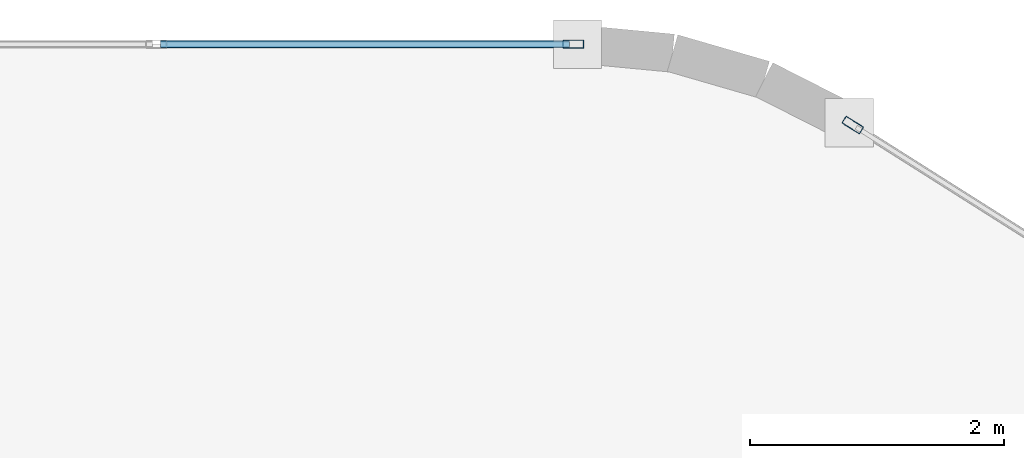
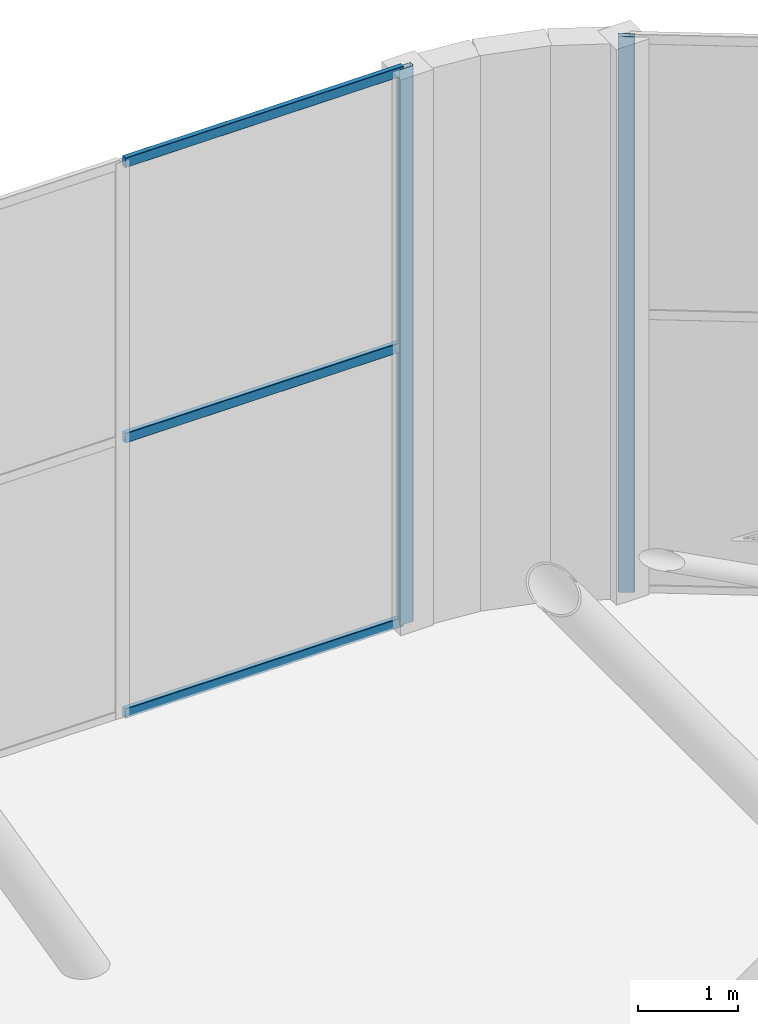
# One storey, part 20 of 24: 5 members, 2 elements without a shape of their own.
"""IFC4 building model written with IfcOpenShell, lengths in metres."""

from ifc_helpers import new_model, si_unit, direction, frame, origin, origin_2d, place, context, subcontext, project, spatial, hollow_rectangle, extrude, material, layer, layer_set, material_profile, profile_set, type_object, element, aggregate, save


model = new_model("IFC4")

# Units and contexts
model_context = context("Model", 3, precision=1e-05, world=origin(), true_north=direction((0.0, 1.0)))
body_context = subcontext(model_context, "Body", "Model", "MODEL_VIEW")
ifc_project = project(units=[si_unit("LENGTHUNIT", "METRE"), si_unit("AREAUNIT", "SQUARE_METRE"), si_unit("VOLUMEUNIT", "CUBIC_METRE"), si_unit("PLANEANGLEUNIT", "RADIAN"), si_unit("MASSUNIT", "GRAM", prefix="KILO")], contexts=[model_context])

# Site, building, storey
site_placement = place(None, origin())
site = spatial("IfcSite", under=ifc_project, at=site_placement, CompositionType="ELEMENT")
building_placement = place(site_placement, origin())
building = spatial("IfcBuilding", under=site, at=building_placement, Name="An Khanh Terracotta Commons", CompositionType="ELEMENT")
storey_placement = place(building_placement, frame((0.0, 0.0, 315.199951171875)))
storey = spatial("IfcBuildingStorey", under=building, at=storey_placement, Name="L80 Crown Cooling Plant", CompositionType="ELEMENT", Elevation=315.199951171875)

# Curtain wall, member
ifc_material = material(Name="Anodised Aluminium 6063-T6", Category="aluminium")
ifc_layer = layer(ifc_material, 0.18994140625, Name="Anodised Aluminium 6063-T6")
ifc_layer_set = layer_set([ifc_layer], Name="Anodised Aluminium 6063-T6")
curtain_wall_type = type_object("IfcCurtainWallType", Name="CW-SYS-06", PredefinedType="USERDEFINED", material=ifc_layer_set)
curtain_wall_1_placement = place(storey_placement, origin())
curtain_wall_1 = element("IfcCurtainWall", 1, at=curtain_wall_1_placement, inside=storey, type_object=curtain_wall_type, Name="L80 Crown Cooling Plant CW-06 Unitised Curtain Wall CW-L80-16", ObjectType="UNITISED CURTAIN WALL", PredefinedType="USERDEFINED")
ifc_material_profile_1 = material_profile(ifc_material, hollow_rectangle(XDim=0.06494140625, YDim=0.1650390625, WallThickness=0.00390625, InnerFilletRadius=0.00390625, OuterFilletRadius=0.008056640625, at=origin_2d()), Name="RHS165x65x4")
ifc_profile_set_1 = profile_set([ifc_material_profile_1], Name="Anodised Aluminium 6063-T6")
member_type_1 = type_object("IfcMemberType", Name="CWM-RHS165x65x4", PredefinedType="MULLION", material=ifc_profile_set_1)
member_1_placement = place(storey_placement, frame((56.007568359375, 35.7626953125, 0.0), z_axis=(0.0, 0.0, 1.0), x_axis=(-0.53458684232, -0.845113547412, 0.0)))
member_1 = element("IfcMember", 2, at=member_1_placement, type_object=member_type_1, Name="CW-06 mullion 4", PredefinedType="MULLION", context=body_context, shape_type="SweptSolid", body=[
    extrude(hollow_rectangle(XDim=0.06494140625, YDim=0.1650390625, WallThickness=0.00390625, InnerFilletRadius=0.00390625, OuterFilletRadius=0.008056640625, at=origin_2d()), origin(), (0.0, 0.0, 1.0), 6.800048828125),
])
aggregate(curtain_wall_1, [member_1])

# Curtain wall, members
curtain_wall_2_placement = place(storey_placement, origin())
curtain_wall_2 = element("IfcCurtainWall", 3, at=curtain_wall_2_placement, inside=storey, type_object=curtain_wall_type, Name="L80 Crown Cooling Plant CW-06 Unitised Curtain Wall CW-L80-20", ObjectType="UNITISED CURTAIN WALL", PredefinedType="USERDEFINED")
member_2_placement = place(storey_placement, frame((53.80859375, 36.39990234375, 0.0), z_axis=(0.0, 0.0, 1.0), x_axis=(0.0, -1.0, 0.0)))
member_2 = element("IfcMember", 4, at=member_2_placement, type_object=member_type_1, Name="CW-06 mullion 1", PredefinedType="MULLION", context=body_context, shape_type="SweptSolid", body=[
    extrude(hollow_rectangle(XDim=0.06494140625, YDim=0.1650390625, WallThickness=0.00390625, InnerFilletRadius=0.00390625, OuterFilletRadius=0.008056640625, at=origin_2d()), origin(), (0.0, 0.0, 1.0), 6.800048828125),
])
ifc_material_profile_2 = material_profile(ifc_material, hollow_rectangle(XDim=0.06005859375, YDim=0.1201171875, WallThickness=0.003662109375, InnerFilletRadius=0.003662109375, OuterFilletRadius=0.007080078125, at=origin_2d()), Name="RHS120x60x3.6")
ifc_profile_set_2 = profile_set([ifc_material_profile_2], Name="Anodised Aluminium 6063-T6")
member_type_2 = type_object("IfcMemberType", Name="CWT-RHS120x60x3.6", PredefinedType="USERDEFINED", material=ifc_profile_set_2)
member_3_placement = place(storey_placement, frame((53.77587890625, 36.39990234375, 0.030029296875), z_axis=(-1.0, 0.0, 0.0), x_axis=(0.0, -1.0, 0.0)))
member_3 = element("IfcMember", 5, at=member_3_placement, type_object=member_type_2, Name="CW-06 transom 1.1", ObjectType="TRANSOM", PredefinedType="USERDEFINED", context=body_context, shape_type="SweptSolid", body=[
    extrude(hollow_rectangle(XDim=0.06005859375, YDim=0.1201171875, WallThickness=0.003662109375, InnerFilletRadius=0.003662109375, OuterFilletRadius=0.007080078125, at=origin_2d()), origin(), (0.0, 0.0, 1.0), 3.218017578125),
])
member_4_placement = place(storey_placement, frame((53.77587890625, 36.39990234375, 3.400146484375), z_axis=(-1.0, 0.0, 0.0), x_axis=(0.0, -1.0, 0.0)))
member_4 = element("IfcMember", 6, at=member_4_placement, type_object=member_type_2, Name="CW-06 transom 1.2", ObjectType="TRANSOM", PredefinedType="USERDEFINED", context=body_context, shape_type="SweptSolid", body=[
    extrude(hollow_rectangle(XDim=0.06005859375, YDim=0.1201171875, WallThickness=0.003662109375, InnerFilletRadius=0.003662109375, OuterFilletRadius=0.007080078125, at=origin_2d()), origin(), (0.0, 0.0, 1.0), 3.218017578125),
])
member_5_placement = place(storey_placement, frame((53.77587890625, 36.39990234375, 6.77001953125), z_axis=(-1.0, 0.0, 0.0), x_axis=(0.0, -1.0, 0.0)))
member_5 = element("IfcMember", 7, at=member_5_placement, type_object=member_type_2, Name="CW-06 transom 1.3", ObjectType="TRANSOM", PredefinedType="USERDEFINED", context=body_context, shape_type="SweptSolid", body=[
    extrude(hollow_rectangle(XDim=0.06005859375, YDim=0.1201171875, WallThickness=0.003662109375, InnerFilletRadius=0.003662109375, OuterFilletRadius=0.007080078125, at=origin_2d()), origin(), (0.0, 0.0, 1.0), 3.218017578125),
])
aggregate(curtain_wall_2, [member_2, member_3, member_4, member_5])

save(model, "model.ifc")
